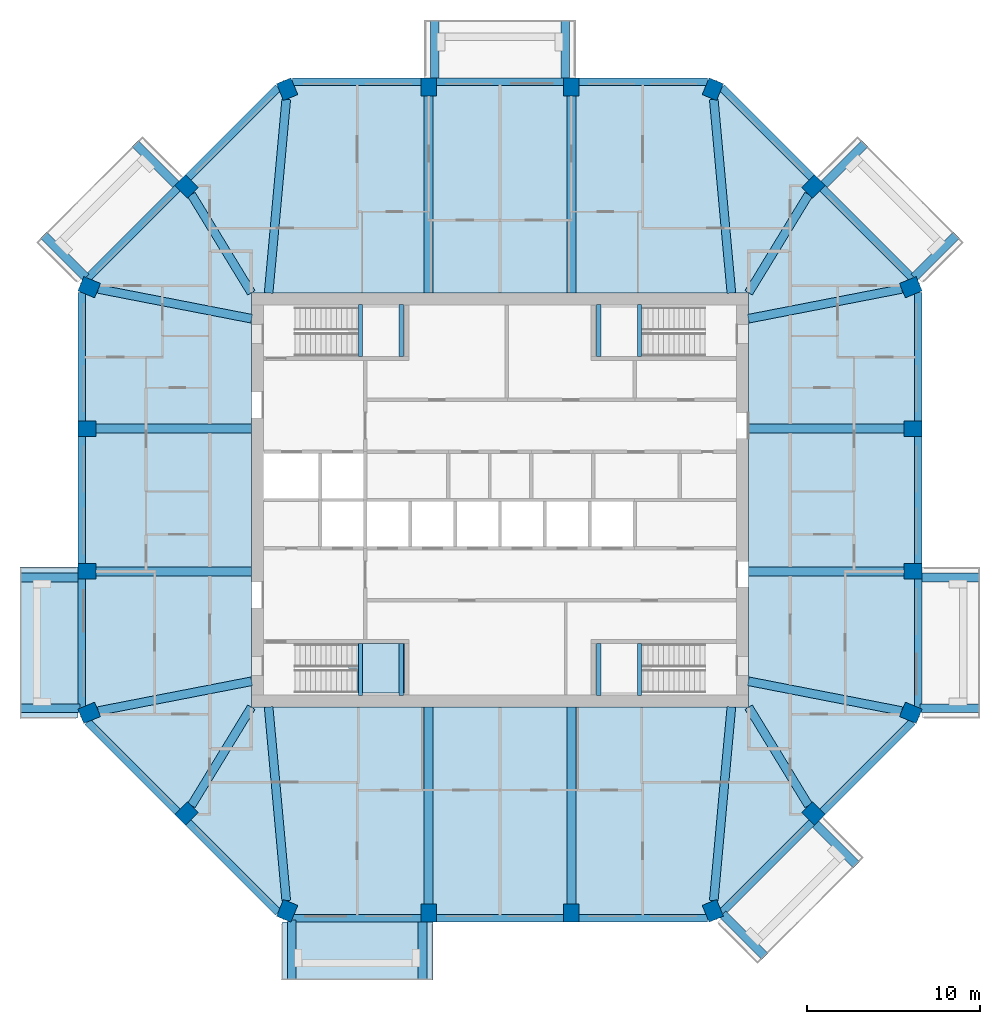
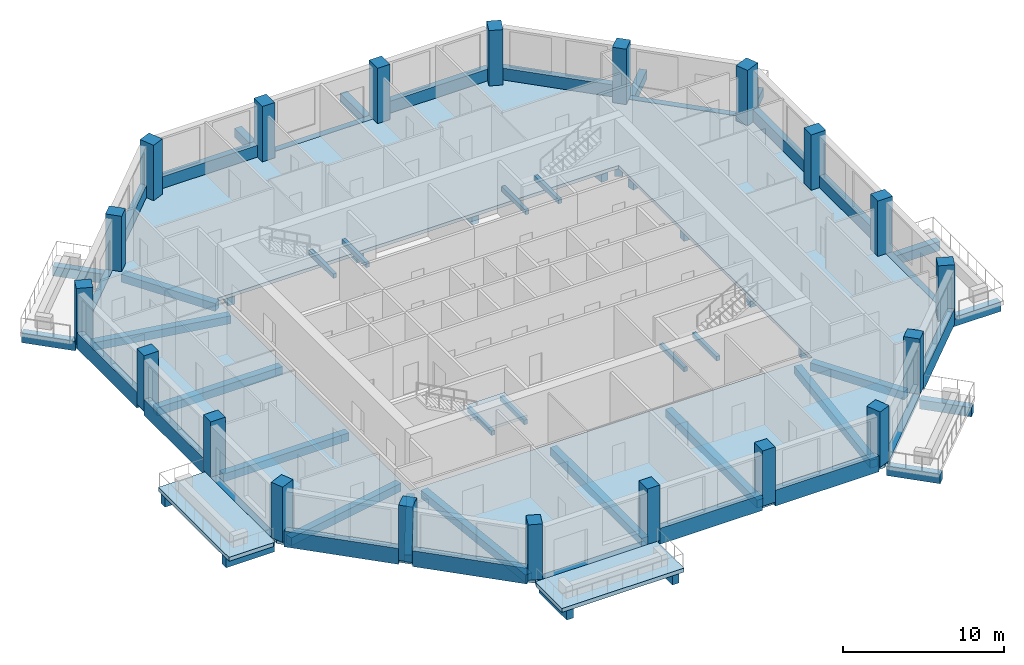
# One storey, part 1 of 10: 62 beams, 20 columns, 4 slabs, 1 element without a shape of its own.
"""IFC4 building model written with IfcOpenShell, lengths in metres."""

from ifc_helpers import new_model, si_unit, direction, frame, origin, origin_2d, place, context, subcontext, project, spatial, polyline, rectangle, outline, extrude, material, layer, layer_set, material_profile, profile_set, type_object, element, aggregate, save


model = new_model("IFC4")

# Units and contexts
model_context = context("Model", 3, precision=1e-05, world=origin(), true_north=direction((0.0, 1.0)))
body_context = subcontext(model_context, "Body", "Model", "MODEL_VIEW")
ifc_project = project(units=[si_unit("LENGTHUNIT", "METRE"), si_unit("AREAUNIT", "SQUARE_METRE"), si_unit("VOLUMEUNIT", "CUBIC_METRE"), si_unit("PLANEANGLEUNIT", "RADIAN"), si_unit("MASSUNIT", "GRAM", prefix="KILO")], contexts=[model_context])

# Site, building, storey
site_placement = place(None, origin())
site = spatial("IfcSite", under=ifc_project, at=site_placement, CompositionType="ELEMENT")
building_placement = place(site_placement, origin())
building = spatial("IfcBuilding", under=site, at=building_placement, Name="Msitu Wima Residences", CompositionType="ELEMENT")
storey_placement = place(building_placement, frame((0.0, 0.0, 187.5)))
storey = spatial("IfcBuildingStorey", under=building, at=storey_placement, Name="L43", CompositionType="ELEMENT", Elevation=187.5)

# Columns
ifc_material_1 = material(Name="Concrete C60/75", Category="concrete")
ifc_material_profile_1 = material_profile(ifc_material_1, rectangle(XDim=0.89990234375, YDim=1.050048828125, at=origin_2d()), Name="RC 900x1050")
ifc_profile_set_1 = profile_set([ifc_material_profile_1], Name="Concrete C60/75")
column_type = type_object("IfcColumnType", Name="Column RC 900x1050 Concrete C60/75", PredefinedType="COLUMN", material=ifc_profile_set_1)
for number, where, z_axis, x_axis, name in (
    (1, (23.792724609375, -12.325927734375, 0.0), (0.0, 0.0, 1.0), (0.382683496864, 0.923879505795, 0.0), "Column L43 C-E0"),
    (2, (23.925048828125, -4.13720703125, 0.0), (0.0, 0.0, 1.0), (0.0, 1.0, 0.0), "Column L43 C-E1"),
    (3, (23.925048828125, 4.13720703125, 0.0), (0.0, 0.0, 1.0), (0.0, 1.0, 0.0), "Column L43 C-E2"),
    (4, (23.792724609375, 12.325927734375, 0.0), (0.0, 0.0, 1.0), (-0.382683496864, 0.923879505795, 0.0), "Column L43 C-NE0"),
    (5, (18.15283203125, 18.15283203125, 0.0), (0.0, 0.0, 1.0), (-0.707106781187, 0.707106781187, 0.0), "Column L43 C-NE1"),
    (6, (12.325927734375, 23.792724609375, 0.0), (0.0, 0.0, 1.0), (-0.923879505795, 0.382683496864, 0.0), "Column L43 C-N0"),
    (7, (4.13720703125, 23.925048828125, 0.0), (0.0, 0.0, 1.0), (-1.0, 0.0, 0.0), "Column L43 C-N1"),
    (8, (-4.13720703125, 23.925048828125, 0.0), (0.0, 0.0, 1.0), (-1.0, 0.0, 0.0), "Column L43 C-N2"),
    (9, (-12.325927734375, 23.792724609375, 0.0), (0.0, 0.0, 1.0), (-0.923879505795, -0.382683496864, 0.0), "Column L43 C-NW0"),
    (10, (-18.15283203125, 18.15283203125, 0.0), (0.0, 0.0, 1.0), (-0.707106781187, -0.707106781187, 0.0), "Column L43 C-NW1"),
    (11, (-23.792724609375, 12.325927734375, 0.0), (0.0, 0.0, 1.0), (-0.382683496864, -0.923879505795, 0.0), "Column L43 C-W0"),
    (12, (-23.925048828125, 4.13720703125, 0.0), (0.0, 0.0, 1.0), (0.0, -1.0, 0.0), "Column L43 C-W1"),
    (13, (-23.925048828125, -4.13720703125, 0.0), (0.0, 0.0, 1.0), (0.0, -1.0, 0.0), "Column L43 C-W2"),
    (14, (-23.792724609375, -12.325927734375, 0.0), (0.0, 0.0, 1.0), (0.382683496864, -0.923879505795, 0.0), "Column L43 C-SW0"),
    (15, (-18.15283203125, -18.15283203125, 0.0), (0.0, 0.0, 1.0), (0.707106781187, -0.707106781187, 0.0), "Column L43 C-SW1"),
    (16, (-12.325927734375, -23.792724609375, 0.0), (0.0, 0.0, 1.0), (0.923879505795, -0.382683496864, 0.0), "Column L43 C-S0"),
    (17, (-4.13720703125, -23.925048828125, 0.0), (0.0, 0.0, 1.0), (1.0, 0.0, 0.0), "Column L43 C-S1"),
    (18, (4.13720703125, -23.925048828125, 0.0), (0.0, 0.0, 1.0), (1.0, 0.0, 0.0), "Column L43 C-S2"),
    (19, (12.325927734375, -23.792724609375, 0.0), (0.0, 0.0, 1.0), (0.923879505795, 0.382683496864, 0.0), "Column L43 C-SE0"),
    (20, (18.15283203125, -18.15283203125, 0.0), (0.0, 0.0, 1.0), (0.707106781187, 0.707106781187, 0.0), "Column L43 C-SE1"),
):
    element("IfcColumn", number, at=place(storey_placement, frame(where, z_axis=z_axis, x_axis=x_axis)), inside=storey, type_object=column_type, Name=name, PredefinedType="COLUMN", context=body_context, shape_type="SweptSolid", body=[
        extrude(rectangle(XDim=0.89990234375, YDim=1.050048828125, at=origin_2d()), origin(), (0.0, 0.0, 1.0), 4.199951171875),
    ])

# Beams
ifc_material_2 = material(Name="Concrete C50/60", Category="concrete")
ifc_material_profile_2 = material_profile(ifc_material_2, rectangle(XDim=0.5, YDim=0.60009765625, at=origin_2d()), Name="RC 500x600")
ifc_profile_set_2 = profile_set([ifc_material_profile_2], Name="Concrete C50/60")
beam_type_1 = type_object("IfcBeamType", Name="Beam RC 500x600 Concrete C50/60", PredefinedType="BEAM", material=ifc_profile_set_2)
beam_1_placement = place(storey_placement, frame((23.266845703125, -12.2236328125, -0.550048828125), z_axis=(-0.981627328559, 0.190808248841, 0.0), x_axis=(-0.190808248841, -0.981627328559, 0.0)))
element("IfcBeam", 21, at=beam_1_placement, inside=storey, type_object=beam_type_1, Name="Beam L43 C-E0", PredefinedType="BEAM", context=body_context, shape_type="SweptSolid", body=[
    extrude(rectangle(XDim=0.5, YDim=0.60009765625, at=origin_2d()), origin(), (0.0, 0.0, 1.0), 9.044921875),
])
for number, where, z_axis, x_axis, name in (
    (22, (23.39990234375, -4.13720703125, -0.550048828125), (-1.0, 0.0, 0.0), (0.0, -1.0, 0.0), "Beam L43 C-E1"),
    (23, (23.39990234375, 4.13720703125, -0.550048828125), (-1.0, 0.0, 0.0), (0.0, -1.0, 0.0), "Beam L43 C-E2"),
):
    element("IfcBeam", number, at=place(storey_placement, frame(where, z_axis=z_axis, x_axis=x_axis)), inside=storey, type_object=beam_type_1, Name=name, PredefinedType="BEAM", context=body_context, shape_type="SweptSolid", body=[
        extrude(rectangle(XDim=0.5, YDim=0.60009765625, at=origin_2d()), origin(), (0.0, 0.0, 1.0), 9.0),
    ])
beam_2_placement = place(storey_placement, frame((23.266845703125, 12.2236328125, -0.550048828125), z_axis=(-0.981627328559, -0.190808248841, 0.0), x_axis=(0.190808248841, -0.981627328559, 0.0)))
element("IfcBeam", 24, at=beam_2_placement, inside=storey, type_object=beam_type_1, Name="Beam L43 C-NE0", PredefinedType="BEAM", context=body_context, shape_type="SweptSolid", body=[
    extrude(rectangle(XDim=0.5, YDim=0.60009765625, at=origin_2d()), origin(), (0.0, 0.0, 1.0), 9.044921875),
])
beam_3_placement = place(storey_placement, frame((17.87158203125, 17.691650390625, -0.550048828125), z_axis=(-0.520734381113, -0.853718750132, 0.0), x_axis=(0.853718750132, -0.520734381113, 0.0)))
element("IfcBeam", 25, at=beam_3_placement, inside=storey, type_object=beam_type_1, Name="Beam L43 C-NE1", PredefinedType="BEAM", context=body_context, shape_type="SweptSolid", body=[
    extrude(rectangle(XDim=0.5, YDim=0.60009765625, at=origin_2d()), origin(), (0.0, 0.0, 1.0), 6.6669921875),
])
beam_4_placement = place(storey_placement, frame((12.379638671875, 23.2021484375, -0.550048828125), z_axis=(0.090713636077, -0.995877018627, 0.0), x_axis=(0.995877018627, 0.090713636077, 0.0)))
element("IfcBeam", 26, at=beam_4_placement, inside=storey, type_object=beam_type_1, Name="Beam L43 C-N0", PredefinedType="BEAM", context=body_context, shape_type="SweptSolid", body=[
    extrude(rectangle(XDim=0.5, YDim=0.60009765625, at=origin_2d()), origin(), (0.0, 0.0, 1.0), 11.260498046875),
])
for number, where, z_axis, x_axis, name in (
    (27, (4.13720703125, 23.39990234375, -0.550048828125), (0.0, -1.0, 0.0), (1.0, 0.0, 0.0), "Beam L43 C-N1"),
    (28, (-4.13720703125, 23.39990234375, -0.550048828125), (0.0, -1.0, 0.0), (1.0, 0.0, 0.0), "Beam L43 C-N2"),
):
    element("IfcBeam", number, at=place(storey_placement, frame(where, z_axis=z_axis, x_axis=x_axis)), inside=storey, type_object=beam_type_1, Name=name, PredefinedType="BEAM", context=body_context, shape_type="SweptSolid", body=[
        extrude(rectangle(XDim=0.5, YDim=0.60009765625, at=origin_2d()), origin(), (0.0, 0.0, 1.0), 11.39990234375),
    ])
beam_5_placement = place(storey_placement, frame((-12.379638671875, 23.2021484375, -0.550048828125), z_axis=(-0.090713636077, -0.995877018627, 0.0), x_axis=(0.995877018627, -0.090713636077, 0.0)))
element("IfcBeam", 29, at=beam_5_placement, inside=storey, type_object=beam_type_1, Name="Beam L43 C-NW0", PredefinedType="BEAM", context=body_context, shape_type="SweptSolid", body=[
    extrude(rectangle(XDim=0.5, YDim=0.60009765625, at=origin_2d()), origin(), (0.0, 0.0, 1.0), 11.260498046875),
])
beam_6_placement = place(storey_placement, frame((-17.87158203125, 17.691650390625, -0.550048828125), z_axis=(0.520734381113, -0.853718750132, 0.0), x_axis=(0.853718750132, 0.520734381113, 0.0)))
element("IfcBeam", 30, at=beam_6_placement, inside=storey, type_object=beam_type_1, Name="Beam L43 C-NW1", PredefinedType="BEAM", context=body_context, shape_type="SweptSolid", body=[
    extrude(rectangle(XDim=0.5, YDim=0.60009765625, at=origin_2d()), origin(), (0.0, 0.0, 1.0), 6.6669921875),
])
beam_7_placement = place(storey_placement, frame((-23.266845703125, 12.2236328125, -0.550048828125), z_axis=(0.981627328559, -0.190808248841, 0.0), x_axis=(0.190808248841, 0.981627328559, 0.0)))
element("IfcBeam", 31, at=beam_7_placement, inside=storey, type_object=beam_type_1, Name="Beam L43 C-W0", PredefinedType="BEAM", context=body_context, shape_type="SweptSolid", body=[
    extrude(rectangle(XDim=0.5, YDim=0.60009765625, at=origin_2d()), origin(), (0.0, 0.0, 1.0), 9.044921875),
])
for number, where, z_axis, x_axis, name in (
    (32, (-23.39990234375, 4.13720703125, -0.550048828125), (1.0, 0.0, 0.0), (0.0, 1.0, 0.0), "Beam L43 C-W1"),
    (33, (-23.39990234375, -4.13720703125, -0.550048828125), (1.0, 0.0, 0.0), (0.0, 1.0, 0.0), "Beam L43 C-W2"),
):
    element("IfcBeam", number, at=place(storey_placement, frame(where, z_axis=z_axis, x_axis=x_axis)), inside=storey, type_object=beam_type_1, Name=name, PredefinedType="BEAM", context=body_context, shape_type="SweptSolid", body=[
        extrude(rectangle(XDim=0.5, YDim=0.60009765625, at=origin_2d()), origin(), (0.0, 0.0, 1.0), 9.0),
    ])
beam_8_placement = place(storey_placement, frame((-23.266845703125, -12.2236328125, -0.550048828125), z_axis=(0.981627328559, 0.190808248841, 0.0), x_axis=(-0.190808248841, 0.981627328559, 0.0)))
element("IfcBeam", 34, at=beam_8_placement, inside=storey, type_object=beam_type_1, Name="Beam L43 C-SW0", PredefinedType="BEAM", context=body_context, shape_type="SweptSolid", body=[
    extrude(rectangle(XDim=0.5, YDim=0.60009765625, at=origin_2d()), origin(), (0.0, 0.0, 1.0), 9.044921875),
])
beam_9_placement = place(storey_placement, frame((-17.87158203125, -17.691650390625, -0.550048828125), z_axis=(0.520734381113, 0.853718750132, 0.0), x_axis=(-0.853718750132, 0.520734381113, 0.0)))
element("IfcBeam", 35, at=beam_9_placement, inside=storey, type_object=beam_type_1, Name="Beam L43 C-SW1", PredefinedType="BEAM", context=body_context, shape_type="SweptSolid", body=[
    extrude(rectangle(XDim=0.5, YDim=0.60009765625, at=origin_2d()), origin(), (0.0, 0.0, 1.0), 6.6669921875),
])
beam_10_placement = place(storey_placement, frame((-12.379638671875, -23.2021484375, -0.550048828125), z_axis=(-0.090713636077, 0.995877018627, 0.0), x_axis=(-0.995877018627, -0.090713636077, 0.0)))
element("IfcBeam", 36, at=beam_10_placement, inside=storey, type_object=beam_type_1, Name="Beam L43 C-S0", PredefinedType="BEAM", context=body_context, shape_type="SweptSolid", body=[
    extrude(rectangle(XDim=0.5, YDim=0.60009765625, at=origin_2d()), origin(), (0.0, 0.0, 1.0), 11.260498046875),
])
for number, where, z_axis, x_axis, name in (
    (37, (-4.13720703125, -23.39990234375, -0.550048828125), (0.0, 1.0, 0.0), (-1.0, 0.0, 0.0), "Beam L43 C-S1"),
    (38, (4.13720703125, -23.39990234375, -0.550048828125), (0.0, 1.0, 0.0), (-1.0, 0.0, 0.0), "Beam L43 C-S2"),
):
    element("IfcBeam", number, at=place(storey_placement, frame(where, z_axis=z_axis, x_axis=x_axis)), inside=storey, type_object=beam_type_1, Name=name, PredefinedType="BEAM", context=body_context, shape_type="SweptSolid", body=[
        extrude(rectangle(XDim=0.5, YDim=0.60009765625, at=origin_2d()), origin(), (0.0, 0.0, 1.0), 11.39990234375),
    ])
beam_11_placement = place(storey_placement, frame((12.379638671875, -23.2021484375, -0.550048828125), z_axis=(0.090713636077, 0.995877018627, 0.0), x_axis=(-0.995877018627, 0.090713636077, 0.0)))
element("IfcBeam", 39, at=beam_11_placement, inside=storey, type_object=beam_type_1, Name="Beam L43 C-SE0", PredefinedType="BEAM", context=body_context, shape_type="SweptSolid", body=[
    extrude(rectangle(XDim=0.5, YDim=0.60009765625, at=origin_2d()), origin(), (0.0, 0.0, 1.0), 11.260498046875),
])
beam_12_placement = place(storey_placement, frame((17.87158203125, -17.691650390625, -0.550048828125), z_axis=(-0.520734381113, 0.853718750132, 0.0), x_axis=(-0.853718750132, -0.520734381113, 0.0)))
element("IfcBeam", 40, at=beam_12_placement, inside=storey, type_object=beam_type_1, Name="Beam L43 C-SE1", PredefinedType="BEAM", context=body_context, shape_type="SweptSolid", body=[
    extrude(rectangle(XDim=0.5, YDim=0.60009765625, at=origin_2d()), origin(), (0.0, 0.0, 1.0), 6.6669921875),
])
ifc_material_profile_3 = material_profile(ifc_material_2, rectangle(XDim=0.5, YDim=0.699951171875, at=origin_2d()), Name="RC 500x700")
ifc_profile_set_3 = profile_set([ifc_material_profile_3], Name="Concrete C50/60")
beam_type_2 = type_object("IfcBeamType", Name="Cantilever beam RC 500x700 Concrete C50/60", PredefinedType="BEAM", material=ifc_profile_set_3)
beam_13_placement = place(storey_placement, frame((24.330810546875, -12.061767578125, -0.64990234375), z_axis=(1.0, 0.0, 0.0), x_axis=(0.0, 1.0, 0.0)))
element("IfcBeam", 41, at=beam_13_placement, inside=storey, type_object=beam_type_2, Name="Cantilever beam L43 BA-E0 A", PredefinedType="BEAM", context=body_context, shape_type="SweptSolid", body=[
    extrude(rectangle(XDim=0.5, YDim=0.699951171875, at=origin_2d()), origin(), (0.0, 0.0, 1.0), 3.46923828125),
])
beam_14_placement = place(storey_placement, frame((24.449951171875, -4.4873046875, -0.64990234375), z_axis=(1.0, 0.0, 0.0), x_axis=(0.0, 1.0, 0.0)))
element("IfcBeam", 42, at=beam_14_placement, inside=storey, type_object=beam_type_2, Name="Cantilever beam L43 BA-E0 B", PredefinedType="BEAM", context=body_context, shape_type="SweptSolid", body=[
    extrude(rectangle(XDim=0.5, YDim=0.699951171875, at=origin_2d()), origin(), (0.0, 0.0, 1.0), 3.35009765625),
])
beam_15_placement = place(storey_placement, frame((23.986572265625, 12.893310546875, -0.64990234375), z_axis=(0.707106781187, 0.707106781187, 0.0), x_axis=(-0.707106781187, 0.707106781187, 0.0)))
element("IfcBeam", 43, at=beam_15_placement, inside=storey, type_object=beam_type_2, Name="Cantilever beam L43 BA-NE0 A", PredefinedType="BEAM", context=body_context, shape_type="SweptSolid", body=[
    extrude(rectangle(XDim=0.5, YDim=0.699951171875, at=origin_2d()), origin(), (0.0, 0.0, 1.0), 3.468994140625),
])
for number, where, z_axis, x_axis, name in (
    (44, (18.771484375, 18.276611328125, -0.64990234375), (0.707106781187, 0.707106781187, 0.0), (-0.707106781187, 0.707106781187, 0.0), "Cantilever beam L43 BA-NE0 B"),
    (45, (3.787353515625, 24.449951171875, -0.64990234375), (0.0, 1.0, 0.0), (-1.0, 0.0, 0.0), "Cantilever beam L43 BA-N1 A"),
    (46, (-3.787353515625, 24.449951171875, -0.64990234375), (0.0, 1.0, 0.0), (-1.0, 0.0, 0.0), "Cantilever beam L43 BA-N1 B"),
    (47, (-18.771484375, 18.276611328125, -0.64990234375), (-0.707106781187, 0.707106781187, 0.0), (-0.707106781187, -0.707106781187, 0.0), "Cantilever beam L43 BA-NW1 A"),
):
    element("IfcBeam", number, at=place(storey_placement, frame(where, z_axis=z_axis, x_axis=x_axis)), inside=storey, type_object=beam_type_2, Name=name, PredefinedType="BEAM", context=body_context, shape_type="SweptSolid", body=[
        extrude(rectangle(XDim=0.5, YDim=0.699951171875, at=origin_2d()), origin(), (0.0, 0.0, 1.0), 3.35009765625),
    ])
beam_16_placement = place(storey_placement, frame((-23.986572265625, 12.893310546875, -0.64990234375), z_axis=(-0.707106781187, 0.707106781187, 0.0), x_axis=(-0.707106781187, -0.707106781187, 0.0)))
element("IfcBeam", 48, at=beam_16_placement, inside=storey, type_object=beam_type_2, Name="Cantilever beam L43 BA-NW1 B", PredefinedType="BEAM", context=body_context, shape_type="SweptSolid", body=[
    extrude(rectangle(XDim=0.5, YDim=0.699951171875, at=origin_2d()), origin(), (0.0, 0.0, 1.0), 3.468994140625),
])
beam_17_placement = place(storey_placement, frame((-24.449951171875, -4.4873046875, -0.64990234375), z_axis=(-1.0, 0.0, 0.0), x_axis=(0.0, -1.0, 0.0)))
element("IfcBeam", 49, at=beam_17_placement, inside=storey, type_object=beam_type_2, Name="Cantilever beam L43 BA-W2 A", PredefinedType="BEAM", context=body_context, shape_type="SweptSolid", body=[
    extrude(rectangle(XDim=0.5, YDim=0.699951171875, at=origin_2d()), origin(), (0.0, 0.0, 1.0), 3.35009765625),
])
for number, where, z_axis, x_axis, name in (
    (50, (-24.330810546875, -12.061767578125, -0.64990234375), (-1.0, 0.0, 0.0), (0.0, -1.0, 0.0), "Cantilever beam L43 BA-W2 B"),
    (51, (-12.061767578125, -24.330810546875, -0.64990234375), (0.0, -1.0, 0.0), (1.0, 0.0, 0.0), "Cantilever beam L43 BA-S0 A"),
):
    element("IfcBeam", number, at=place(storey_placement, frame(where, z_axis=z_axis, x_axis=x_axis)), inside=storey, type_object=beam_type_2, Name=name, PredefinedType="BEAM", context=body_context, shape_type="SweptSolid", body=[
        extrude(rectangle(XDim=0.5, YDim=0.699951171875, at=origin_2d()), origin(), (0.0, 0.0, 1.0), 3.46923828125),
    ])
beam_18_placement = place(storey_placement, frame((-4.4873046875, -24.449951171875, -0.64990234375), z_axis=(0.0, -1.0, 0.0), x_axis=(1.0, 0.0, 0.0)))
element("IfcBeam", 52, at=beam_18_placement, inside=storey, type_object=beam_type_2, Name="Cantilever beam L43 BA-S0 B", PredefinedType="BEAM", context=body_context, shape_type="SweptSolid", body=[
    extrude(rectangle(XDim=0.5, YDim=0.699951171875, at=origin_2d()), origin(), (0.0, 0.0, 1.0), 3.35009765625),
])
beam_19_placement = place(storey_placement, frame((12.893310546875, -23.986572265625, -0.64990234375), z_axis=(0.707106781187, -0.707106781187, 0.0), x_axis=(0.707106781187, 0.707106781187, 0.0)))
element("IfcBeam", 53, at=beam_19_placement, inside=storey, type_object=beam_type_2, Name="Cantilever beam L43 BA-SE0 A", PredefinedType="BEAM", context=body_context, shape_type="SweptSolid", body=[
    extrude(rectangle(XDim=0.5, YDim=0.699951171875, at=origin_2d()), origin(), (0.0, 0.0, 1.0), 3.468994140625),
])
beam_20_placement = place(storey_placement, frame((18.276611328125, -18.771484375, -0.64990234375), z_axis=(0.707106781187, -0.707106781187, 0.0), x_axis=(0.707106781187, 0.707106781187, 0.0)))
element("IfcBeam", 54, at=beam_20_placement, inside=storey, type_object=beam_type_2, Name="Cantilever beam L43 BA-SE0 B", PredefinedType="BEAM", context=body_context, shape_type="SweptSolid", body=[
    extrude(rectangle(XDim=0.5, YDim=0.699951171875, at=origin_2d()), origin(), (0.0, 0.0, 1.0), 3.35009765625),
])
ifc_material_profile_4 = material_profile(ifc_material_2, rectangle(XDim=0.449951171875, YDim=0.300048828125, at=origin_2d()), Name="RC 450x300")
ifc_profile_set_4 = profile_set([ifc_material_profile_4], Name="Concrete C50/60")
beam_type_3 = type_object("IfcBeamType", Name="Edge beam RC 450x300 Concrete C50/60", PredefinedType="SPANDREL", material=ifc_profile_set_4)
beam_21_placement = place(storey_placement, frame((24.22509765625, -12.02978515625, -0.14990234375), z_axis=(0.0, 1.0, 0.0), x_axis=(-1.0, 0.0, 0.0)))
element("IfcBeam", 55, at=beam_21_placement, inside=storey, type_object=beam_type_3, Name="Spandrel L43 E0", PredefinedType="SPANDREL", context=body_context, shape_type="SweptSolid", body=[
    extrude(rectangle(XDim=0.449951171875, YDim=0.300048828125, at=origin_2d()), origin(), (0.0, 0.0, 1.0), 7.442626953125),
])
beam_22_placement = place(storey_placement, frame((23.88916015625, 12.8408203125, -0.14990234375), z_axis=(-0.707106781187, 0.707106781187, 0.0), x_axis=(-0.707106781187, -0.707106781187, 0.0)))
element("IfcBeam", 56, at=beam_22_placement, inside=storey, type_object=beam_type_3, Name="Spandrel L43 NE0", PredefinedType="SPANDREL", context=body_context, shape_type="SweptSolid", body=[
    extrude(rectangle(XDim=0.449951171875, YDim=0.300048828125, at=origin_2d()), origin(), (0.0, 0.0, 1.0), 7.362548828125),
])
beam_23_placement = place(storey_placement, frame((3.687255859375, 24.22509765625, -0.14990234375), z_axis=(-1.0, 0.0, 0.0), x_axis=(0.0, -1.0, 0.0)))
element("IfcBeam", 57, at=beam_23_placement, inside=storey, type_object=beam_type_3, Name="Spandrel L43 N1", PredefinedType="SPANDREL", context=body_context, shape_type="SweptSolid", body=[
    extrude(rectangle(XDim=0.449951171875, YDim=0.300048828125, at=origin_2d()), origin(), (0.0, 0.0, 1.0), 7.37451171875),
])
beam_24_placement = place(storey_placement, frame((-18.68310546875, 18.046875, -0.14990234375), z_axis=(-0.707106781187, -0.707106781187, 0.0), x_axis=(0.707106781187, -0.707106781187, 0.0)))
element("IfcBeam", 58, at=beam_24_placement, inside=storey, type_object=beam_type_3, Name="Spandrel L43 NW1", PredefinedType="SPANDREL", context=body_context, shape_type="SweptSolid", body=[
    extrude(rectangle(XDim=0.449951171875, YDim=0.300048828125, at=origin_2d()), origin(), (0.0, 0.0, 1.0), 7.362548828125),
])
for number, where, z_axis, x_axis, name in (
    (59, (-24.22509765625, -4.587158203125, -0.14990234375), (0.0, -1.0, 0.0), (1.0, 0.0, 0.0), "Spandrel L43 W2"),
    (60, (-12.02978515625, -24.22509765625, -0.14990234375), (1.0, 0.0, 0.0), (0.0, 1.0, 0.0), "Spandrel L43 S0"),
):
    element("IfcBeam", number, at=place(storey_placement, frame(where, z_axis=z_axis, x_axis=x_axis)), inside=storey, type_object=beam_type_3, Name=name, PredefinedType="SPANDREL", context=body_context, shape_type="SweptSolid", body=[
        extrude(rectangle(XDim=0.449951171875, YDim=0.300048828125, at=origin_2d()), origin(), (0.0, 0.0, 1.0), 7.442626953125),
    ])
beam_25_placement = place(storey_placement, frame((12.8408203125, -23.88916015625, -0.14990234375), z_axis=(0.707106781187, 0.707106781187, 0.0), x_axis=(-0.707106781187, 0.707106781187, 0.0)))
element("IfcBeam", 61, at=beam_25_placement, inside=storey, type_object=beam_type_3, Name="Spandrel L43 SE0", PredefinedType="SPANDREL", context=body_context, shape_type="SweptSolid", body=[
    extrude(rectangle(XDim=0.449951171875, YDim=0.300048828125, at=origin_2d()), origin(), (0.0, 0.0, 1.0), 7.362548828125),
])
ifc_material_3 = material(Name="Concrete C40/50", Category="concrete")
ifc_material_profile_5 = material_profile(ifc_material_3, rectangle(XDim=0.25, YDim=0.35009765625, at=origin_2d()), Name="RC 250x350")
ifc_profile_set_5 = profile_set([ifc_material_profile_5], Name="Concrete C40/50")
beam_type_4 = type_object("IfcBeamType", Name="Landing beam RC 250x350", PredefinedType="BEAM", material=ifc_profile_set_5)
for number, where, z_axis, x_axis, name in (
    (62, (-8.074951171875, 8.324951171875, 1.72509765625), (0.0, 1.0, 0.0), (-1.0, 0.0, 0.0), "Stair 1 landing beam"),
    (63, (-5.72509765625, 8.324951171875, 1.72509765625), (0.0, 1.0, 0.0), (-1.0, 0.0, 0.0), "Stair 1 landing beam"),
    (64, (-8.074951171875, -11.324951171875, 1.72509765625), (0.0, 1.0, 0.0), (-1.0, 0.0, 0.0), "Stair 2 landing beam"),
    (65, (-5.72509765625, -11.324951171875, 1.72509765625), (0.0, 1.0, 0.0), (-1.0, 0.0, 0.0), "Stair 2 landing beam"),
    (66, (8.074951171875, 8.324951171875, 1.72509765625), (0.0, 1.0, 0.0), (-1.0, 0.0, 0.0), "Stair 3 landing beam"),
    (67, (5.72509765625, 8.324951171875, 1.72509765625), (0.0, 1.0, 0.0), (-1.0, 0.0, 0.0), "Stair 3 landing beam"),
    (68, (8.074951171875, -11.324951171875, 1.72509765625), (0.0, 1.0, 0.0), (-1.0, 0.0, 0.0), "Stair 4 landing beam"),
    (69, (5.72509765625, -11.324951171875, 1.72509765625), (0.0, 1.0, 0.0), (-1.0, 0.0, 0.0), "Stair 4 landing beam"),
):
    element("IfcBeam", number, at=place(storey_placement, frame(where, z_axis=z_axis, x_axis=x_axis)), inside=storey, type_object=beam_type_4, Name=name, PredefinedType="BEAM", context=body_context, shape_type="SweptSolid", body=[
        extrude(rectangle(XDim=0.25, YDim=0.35009765625, at=origin_2d()), origin(), (0.0, 0.0, 1.0), 3.0),
    ])
ifc_material_profile_6 = material_profile(ifc_material_2, rectangle(XDim=0.449951171875, YDim=1.199951171875, at=origin_2d()), Name="RC 450x1200")
ifc_profile_set_6 = profile_set([ifc_material_profile_6], Name="Concrete C50/60")
beam_type_5 = type_object("IfcBeamType", Name="Spandrel RC 450x1200 Concrete C50/60", PredefinedType="SPANDREL", material=ifc_profile_set_6)
beam_26_placement = place(storey_placement, frame((24.22509765625, -3.687255859375, 0.300048828125), z_axis=(0.0, 1.0, 0.0), x_axis=(-1.0, 0.0, 0.0)))
element("IfcBeam", 70, at=beam_26_placement, inside=storey, type_object=beam_type_5, Name="Spandrel L43 E1", PredefinedType="SPANDREL", context=body_context, shape_type="SweptSolid", body=[
    extrude(rectangle(XDim=0.449951171875, YDim=1.199951171875, at=origin_2d()), origin(), (0.0, 0.0, 1.0), 7.37451171875),
])
beam_27_placement = place(storey_placement, frame((24.22509765625, 4.587158203125, 0.300048828125), z_axis=(0.0, 1.0, 0.0), x_axis=(-1.0, 0.0, 0.0)))
element("IfcBeam", 71, at=beam_27_placement, inside=storey, type_object=beam_type_5, Name="Spandrel L43 E2", PredefinedType="SPANDREL", context=body_context, shape_type="SweptSolid", body=[
    extrude(rectangle(XDim=0.449951171875, YDim=1.199951171875, at=origin_2d()), origin(), (0.0, 0.0, 1.0), 7.442626953125),
])
beam_28_placement = place(storey_placement, frame((18.046875, 18.68310546875, 0.300048828125), z_axis=(-0.707106781187, 0.707106781187, 0.0), x_axis=(-0.707106781187, -0.707106781187, 0.0)))
element("IfcBeam", 72, at=beam_28_placement, inside=storey, type_object=beam_type_5, Name="Spandrel L43 NE1", PredefinedType="SPANDREL", context=body_context, shape_type="SweptSolid", body=[
    extrude(rectangle(XDim=0.449951171875, YDim=1.199951171875, at=origin_2d()), origin(), (0.0, 0.0, 1.0), 7.362548828125),
])
for number, where, z_axis, x_axis, name in (
    (73, (12.02978515625, 24.22509765625, 0.300048828125), (-1.0, 0.0, 0.0), (0.0, -1.0, 0.0), "Spandrel L43 N0"),
    (74, (-4.587158203125, 24.22509765625, 0.300048828125), (-1.0, 0.0, 0.0), (0.0, -1.0, 0.0), "Spandrel L43 N2"),
):
    element("IfcBeam", number, at=place(storey_placement, frame(where, z_axis=z_axis, x_axis=x_axis)), inside=storey, type_object=beam_type_5, Name=name, PredefinedType="SPANDREL", context=body_context, shape_type="SweptSolid", body=[
        extrude(rectangle(XDim=0.449951171875, YDim=1.199951171875, at=origin_2d()), origin(), (0.0, 0.0, 1.0), 7.442626953125),
    ])
beam_29_placement = place(storey_placement, frame((-12.8408203125, 23.88916015625, 0.300048828125), z_axis=(-0.707106781187, -0.707106781187, 0.0), x_axis=(0.707106781187, -0.707106781187, 0.0)))
element("IfcBeam", 75, at=beam_29_placement, inside=storey, type_object=beam_type_5, Name="Spandrel L43 NW0", PredefinedType="SPANDREL", context=body_context, shape_type="SweptSolid", body=[
    extrude(rectangle(XDim=0.449951171875, YDim=1.199951171875, at=origin_2d()), origin(), (0.0, 0.0, 1.0), 7.362548828125),
])
beam_30_placement = place(storey_placement, frame((-24.22509765625, 12.02978515625, 0.300048828125), z_axis=(0.0, -1.0, 0.0), x_axis=(1.0, 0.0, 0.0)))
element("IfcBeam", 76, at=beam_30_placement, inside=storey, type_object=beam_type_5, Name="Spandrel L43 W0", PredefinedType="SPANDREL", context=body_context, shape_type="SweptSolid", body=[
    extrude(rectangle(XDim=0.449951171875, YDim=1.199951171875, at=origin_2d()), origin(), (0.0, 0.0, 1.0), 7.442626953125),
])
beam_31_placement = place(storey_placement, frame((-24.22509765625, 3.687255859375, 0.300048828125), z_axis=(0.0, -1.0, 0.0), x_axis=(1.0, 0.0, 0.0)))
element("IfcBeam", 77, at=beam_31_placement, inside=storey, type_object=beam_type_5, Name="Spandrel L43 W1", PredefinedType="SPANDREL", context=body_context, shape_type="SweptSolid", body=[
    extrude(rectangle(XDim=0.449951171875, YDim=1.199951171875, at=origin_2d()), origin(), (0.0, 0.0, 1.0), 7.37451171875),
])
for number, where, z_axis, x_axis, name in (
    (78, (-23.88916015625, -12.8408203125, 0.300048828125), (0.707106781187, -0.707106781187, 0.0), (0.707106781187, 0.707106781187, 0.0), "Spandrel L43 SW0"),
    (79, (-18.046875, -18.68310546875, 0.300048828125), (0.707106781187, -0.707106781187, 0.0), (0.707106781187, 0.707106781187, 0.0), "Spandrel L43 SW1"),
):
    element("IfcBeam", number, at=place(storey_placement, frame(where, z_axis=z_axis, x_axis=x_axis)), inside=storey, type_object=beam_type_5, Name=name, PredefinedType="SPANDREL", context=body_context, shape_type="SweptSolid", body=[
        extrude(rectangle(XDim=0.449951171875, YDim=1.199951171875, at=origin_2d()), origin(), (0.0, 0.0, 1.0), 7.362548828125),
    ])
beam_32_placement = place(storey_placement, frame((-3.687255859375, -24.22509765625, 0.300048828125), z_axis=(1.0, 0.0, 0.0), x_axis=(0.0, 1.0, 0.0)))
element("IfcBeam", 80, at=beam_32_placement, inside=storey, type_object=beam_type_5, Name="Spandrel L43 S1", PredefinedType="SPANDREL", context=body_context, shape_type="SweptSolid", body=[
    extrude(rectangle(XDim=0.449951171875, YDim=1.199951171875, at=origin_2d()), origin(), (0.0, 0.0, 1.0), 7.37451171875),
])
beam_33_placement = place(storey_placement, frame((4.587158203125, -24.22509765625, 0.300048828125), z_axis=(1.0, 0.0, 0.0), x_axis=(0.0, 1.0, 0.0)))
element("IfcBeam", 81, at=beam_33_placement, inside=storey, type_object=beam_type_5, Name="Spandrel L43 S2", PredefinedType="SPANDREL", context=body_context, shape_type="SweptSolid", body=[
    extrude(rectangle(XDim=0.449951171875, YDim=1.199951171875, at=origin_2d()), origin(), (0.0, 0.0, 1.0), 7.442626953125),
])
beam_34_placement = place(storey_placement, frame((18.68310546875, -18.046875, 0.300048828125), z_axis=(0.707106781187, 0.707106781187, 0.0), x_axis=(-0.707106781187, 0.707106781187, 0.0)))
element("IfcBeam", 82, at=beam_34_placement, inside=storey, type_object=beam_type_5, Name="Spandrel L43 SE1", PredefinedType="SPANDREL", context=body_context, shape_type="SweptSolid", body=[
    extrude(rectangle(XDim=0.449951171875, YDim=1.199951171875, at=origin_2d()), origin(), (0.0, 0.0, 1.0), 7.362548828125),
])

# Slabs
ifc_layer_1 = layer(ifc_material_3, 0.300048828125)
ifc_layer_set_1 = layer_set([ifc_layer_1], Name="Concrete C40/50")
slab_type_1 = type_object("IfcSlabType", Name="Balcony slab BS300", PredefinedType="FLOOR", material=ifc_layer_set_1)
slab_1_placement = place(storey_placement, frame((0.0, 0.0, -0.300048828125)))
element("IfcSlab", 83, at=slab_1_placement, inside=storey, type_object=slab_type_1, Name="Balcony W2 L43", PredefinedType="FLOOR", context=body_context, shape_type="SweptSolid", body=[
    extrude(outline(polyline([(-24.449951171875, -12.111083984375), (-24.449951171875, -12.111083984375), (-24.449951171875, -12.59814453125), (-24.603515625, -12.661865234375), (-27.800048828125, -12.661865234375), (-27.800048828125, -3.88720703125), (-24.449951171875, -3.88720703125), (-24.449951171875, -4.587158203125), (-24.449951171875, -4.587158203125), (-24.449951171875, -12.111083984375), (-24.449951171875, -12.111083984375)])), origin(), (0.0, 0.0, 1.0), 0.300048828125),
])
slab_2_placement = place(storey_placement, frame((0.0, 0.0, -0.300048828125)))
element("IfcSlab", 84, at=slab_2_placement, inside=storey, type_object=slab_type_1, Name="Balcony S0 L43", PredefinedType="FLOOR", context=body_context, shape_type="SweptSolid", body=[
    extrude(outline(polyline([(-12.111083984375, -24.449951171875), (-12.111083984375, -24.449951171875), (-4.587158203125, -24.449951171875), (-3.88720703125, -24.449951171875), (-3.88720703125, -27.800048828125), (-12.661865234375, -27.800048828125), (-12.661865234375, -24.603515625), (-12.59814453125, -24.449951171875), (-12.111083984375, -24.449951171875), (-12.111083984375, -24.449951171875)])), origin(), (0.0, 0.0, 1.0), 0.300048828125),
])
ifc_layer_2 = layer(ifc_material_3, 0.25)
ifc_layer_set_2 = layer_set([ifc_layer_2], Name="Concrete C40/50")
slab_type_2 = type_object("IfcSlabType", Name="PT flat slab 250 Concrete C40/50", PredefinedType="FLOOR", material=ifc_layer_set_2)
slab_3_placement = place(storey_placement, frame((0.0, 0.0, -0.25)))
element("IfcSlab", 85, at=slab_3_placement, inside=storey, type_object=slab_type_2, Name="Floor slab L43", PredefinedType="FLOOR", context=body_context, shape_type="SweptSolid", body=[
    extrude(outline(polyline([(24.300048828125, -12.5361328125), (12.5361328125, -24.300048828125), (-12.5361328125, -24.300048828125), (-24.300048828125, -12.5361328125), (-24.300048828125, 12.5361328125), (-12.5361328125, 24.300048828125), (12.5361328125, 24.300048828125), (24.300048828125, 12.5361328125), (24.300048828125, -12.5361328125)]), holes=[polyline([(-14.39990234375, -12.0), (14.39990234375, -12.0), (14.39990234375, 12.0), (-14.39990234375, 12.0), (-14.39990234375, -12.0)])]), origin(), (0.0, 0.0, 1.0), 0.25),
])

# Stair, slab
stair_type = type_object("IfcStairType", Name="Exit stair ES1615-135", PredefinedType="HALF_TURN_STAIR", material=ifc_material_3)
stair_placement = place(storey_placement, origin())
stair = element("IfcStair", 86, at=stair_placement, inside=storey, type_object=stair_type, Name="Exit stair 2", PredefinedType="HALF_TURN_STAIR")
ifc_layer_3 = layer(ifc_material_3, 0.199951171875)
ifc_layer_set_3 = layer_set([ifc_layer_3], Name="Concrete C40/50")
slab_type_3 = type_object("IfcSlabType", Name="Stair landing SL200", PredefinedType="LANDING", material=ifc_layer_set_3)
slab_4_placement = place(storey_placement, frame((0.0, 0.0, 1.89990234375)))
slab_4 = element("IfcSlab", 87, at=slab_4_placement, type_object=slab_type_3, Name="S2 landing 1", PredefinedType="LANDING", context=body_context, shape_type="SweptSolid", body=[
    extrude(outline(polyline([(-5.52490234375, -11.175048828125), (-8.275390625, -11.175048828125), (-8.275390625, -9.75), (-8.77490234375, -9.75), (-8.77490234375, -8.324951171875), (-5.52490234375, -8.324951171875), (-5.52490234375, -11.175048828125)])), origin(), (0.0, 0.0, 1.0), 0.2001953125),
])
aggregate(stair, [slab_4])

save(model, "model.ifc")
